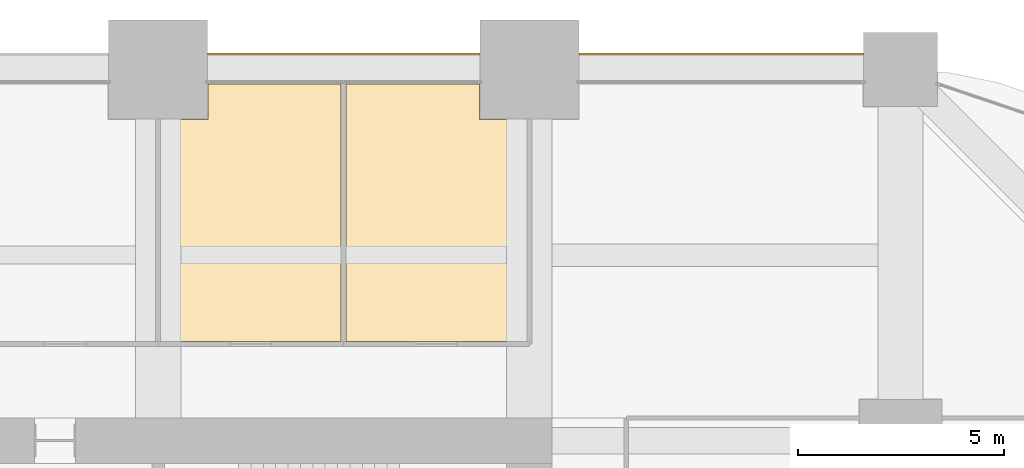
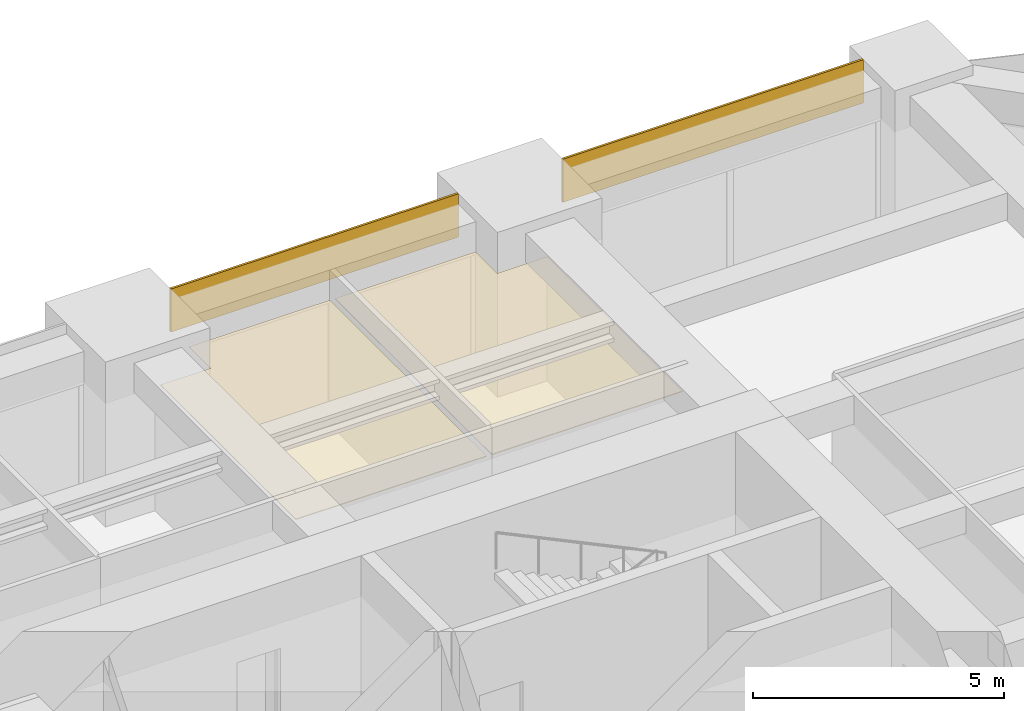
# One storey, part 41 of 41: 4 coverings.
"""IFC4 building model written with IfcOpenShell, lengths in metres."""

from ifc_helpers import new_model, si_unit, direction, frame, frame_2d, origin, place, context, subcontext, project, spatial, polyline, rectangle, outline, extrude, material, layer, layer_set, type_object, element, save


model = new_model("IFC4")

# Units and contexts
model_context = context("Model", 3, precision=1e-05, world=origin(), true_north=direction((0.0, 1.0)))
body_context = subcontext(model_context, "Body", "Model", "MODEL_VIEW")
ifc_project = project(units=[si_unit("LENGTHUNIT", "METRE"), si_unit("AREAUNIT", "SQUARE_METRE"), si_unit("VOLUMEUNIT", "CUBIC_METRE"), si_unit("PLANEANGLEUNIT", "RADIAN"), si_unit("MASSUNIT", "GRAM", prefix="KILO")], contexts=[model_context])

# Site, building, storey
site_placement = place(None, origin())
site = spatial("IfcSite", under=ifc_project, at=site_placement, CompositionType="ELEMENT")
building_placement = place(site_placement, origin())
building = spatial("IfcBuilding", under=site, at=building_placement, Name="Zorevar Civic Tower", CompositionType="ELEMENT")
storey_placement = place(building_placement, frame((0.0, 0.0, 113.0)))
storey = spatial("IfcBuildingStorey", under=building, at=storey_placement, Name="L27", CompositionType="ELEMENT", Elevation=113.0)

# Coverings
ifc_material_1 = material(Name="Black anodised aluminium spandrel panel", Category="aluminium")
ifc_layer_1 = layer(ifc_material_1, 0.050048828125)
ifc_layer_set_1 = layer_set([ifc_layer_1], Name="Spandrel cladding SP1")
covering_type_1 = type_object("IfcCoveringType", Name="Spandrel cladding SP1", PredefinedType="CLADDING", material=ifc_layer_set_1)
covering_1_placement = place(storey_placement, frame((37.199951171875, 45.375, 2.949951171875), z_axis=(0.0, 0.0, 1.0), x_axis=(1.0, 0.0, 0.0)))
element("IfcCovering", 1, at=covering_1_placement, inside=storey, type_object=covering_type_1, Name="Spandrel cladding L28", PredefinedType="CLADDING", context=body_context, shape_type="SweptSolid", body=[
    extrude(rectangle(XDim=6.60009765625, YDim=0.050048828125, at=frame_2d((3.300048828125, 0.0))), origin(), (0.0, 0.0, 1.0), 1.050048828125),
])
covering_2_placement = place(storey_placement, frame((46.199951171875, 45.375, 2.949951171875), z_axis=(0.0, 0.0, 1.0), x_axis=(1.0, 0.0, 0.0)))
element("IfcCovering", 2, at=covering_2_placement, inside=storey, type_object=covering_type_1, Name="Spandrel cladding L28", PredefinedType="CLADDING", context=body_context, shape_type="SweptSolid", body=[
    extrude(rectangle(XDim=6.900146484375, YDim=0.050048828125, at=frame_2d((3.4501953125, 0.0))), origin(), (0.0, 0.0, 1.0), 1.050048828125),
])
ifc_material_2 = material(Name="Mineral fibre tiles on a concealed grid")
ifc_layer_2 = layer(ifc_material_2, 0.02001953125)
ifc_layer_set_2 = layer_set([ifc_layer_2], Name="Suspended ceiling SC1")
covering_type_2 = type_object("IfcCoveringType", Name="Suspended ceiling SC1", PredefinedType="CEILING", material=ifc_layer_set_2)
covering_3_placement = place(storey_placement, frame((0.0, 0.0, 3.0)))
element("IfcCovering", 3, at=covering_3_placement, inside=storey, type_object=covering_type_2, Name="Ceiling L27-32", PredefinedType="CEILING", context=body_context, shape_type="SweptSolid", body=[
    extrude(outline(polyline([(36.06005859375, 38.409912109375), (36.06005859375, 43.7900390625), (37.2099609375, 43.7900390625), (37.2099609375, 44.64990234375), (40.43994140625, 44.64990234375), (40.43994140625, 38.409912109375), (36.06005859375, 38.409912109375)])), origin(), (0.0, 0.0, 1.0), 0.02001953125),
])
covering_4_placement = place(storey_placement, frame((0.0, 0.0, 3.0)))
element("IfcCovering", 4, at=covering_4_placement, inside=storey, type_object=covering_type_2, Name="Ceiling L27-33", PredefinedType="CEILING", context=body_context, shape_type="SweptSolid", body=[
    extrude(outline(polyline([(40.56005859375, 38.409912109375), (40.56005859375, 44.64990234375), (43.7900390625, 44.64990234375), (43.7900390625, 43.7900390625), (44.93994140625, 43.7900390625), (44.93994140625, 38.409912109375), (40.56005859375, 38.409912109375)])), origin(), (0.0, 0.0, 1.0), 0.02001953125),
])

save(model, "model.ifc")
